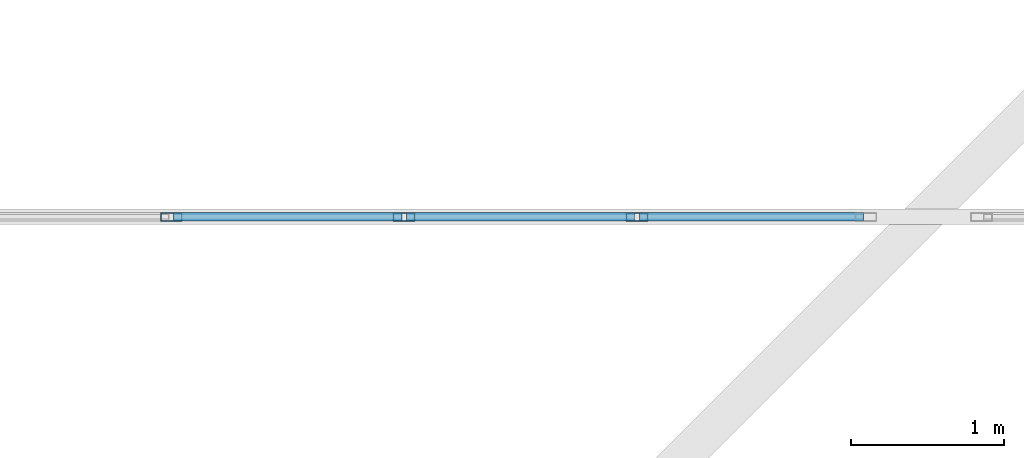
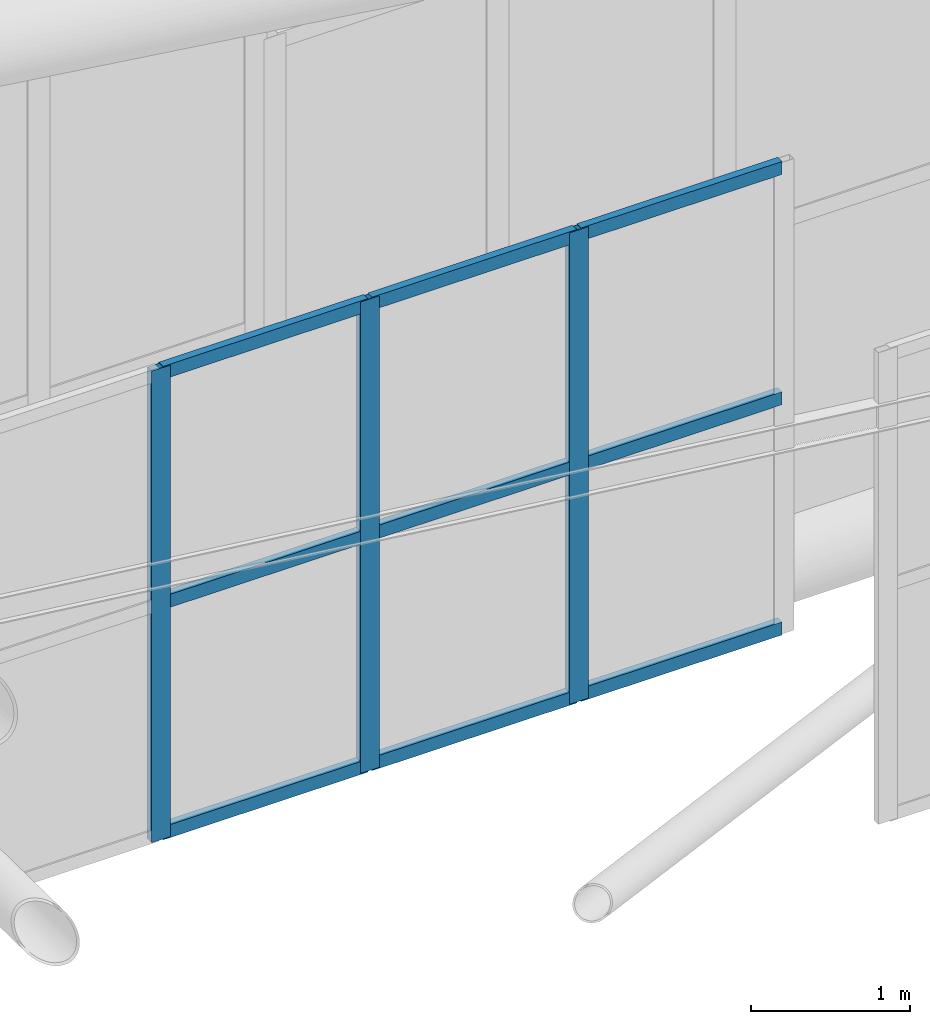
# One storey, part 319 of 397: 12 members, 1 element without a shape of its own.
"""IFC4 building model written with IfcOpenShell, lengths in metres."""

from ifc_helpers import new_model, si_unit, direction, frame, origin, origin_2d, place, context, subcontext, project, spatial, hollow_rectangle, extrude, material, material_profile, profile_set, type_object, element, aggregate, save


model = new_model("IFC4")

# Units and contexts
model_context = context("Model", 3, precision=1e-05, world=origin(), true_north=direction((0.0, 1.0)))
body_context = subcontext(model_context, "Body", "Model", "MODEL_VIEW")
ifc_project = project(units=[si_unit("LENGTHUNIT", "METRE"), si_unit("AREAUNIT", "SQUARE_METRE"), si_unit("VOLUMEUNIT", "CUBIC_METRE"), si_unit("PLANEANGLEUNIT", "RADIAN"), si_unit("MASSUNIT", "GRAM", prefix="KILO")], contexts=[model_context])

# Site, building, storey
site_placement = place(None, origin())
site = spatial("IfcSite", under=ifc_project, at=site_placement, CompositionType="ELEMENT")
building_placement = place(site_placement, origin())
building = spatial("IfcBuilding", under=site, at=building_placement, Name="Qandorah Velis Arena", CompositionType="ELEMENT")
storey_placement = place(building_placement, frame((0.0, 0.0, 27.5)))
storey = spatial("IfcBuildingStorey", under=building, at=storey_placement, Name="RF", CompositionType="ELEMENT", Elevation=27.5)

# Curtain wall, members
ifc_material_1 = material(Name="Solar-control low-E double glazing", Category="glass")
curtain_wall_type = type_object("IfcCurtainWallType", Name="ARC-CW-SYS05", PredefinedType="USERDEFINED", material=ifc_material_1)
curtain_wall_placement = place(storey_placement, origin())
curtain_wall = element("IfcCurtainWall", 1, at=curtain_wall_placement, inside=storey, type_object=curtain_wall_type, Name="Unitised curtain wall MON-4-5", ObjectType="UNITISED CURTAIN WALL", PredefinedType="USERDEFINED")
ifc_material_2 = material(Name="Champagne-bronze anodized aluminium 6063-T6", Category="aluminium")
ifc_material_profile_1 = material_profile(ifc_material_2, hollow_rectangle(XDim=0.054931640625, YDim=0.139892578125, WallThickness=0.0029296875, at=origin_2d()), Name="ALU MULLION 55x140")
ifc_profile_set_1 = profile_set([ifc_material_profile_1], Name="Champagne-bronze anodized aluminium 6063-T6")
member_type_1 = type_object("IfcMemberType", Name="ARC-CWM-140", PredefinedType="MULLION", material=ifc_profile_set_1)
member_1_placement = place(storey_placement, frame((88.683349609375, 108.0, 5.337646484375), z_axis=(0.0, 0.0, 1.0), x_axis=(0.0, 1.0, 0.0)))
member_1 = element("IfcMember", 2, at=member_1_placement, type_object=member_type_1, Name="CW05 mullion 7", PredefinedType="MULLION", context=body_context, shape_type="SweptSolid", body=[
    extrude(hollow_rectangle(XDim=0.054931640625, YDim=0.139892578125, WallThickness=0.0029296875, at=origin_2d()), origin(), (0.0, 0.0, 1.0), 3.630126953125),
])
member_2_placement = place(storey_placement, frame((90.20556640625, 108.0, 5.337646484375), z_axis=(0.0, 0.0, 1.0), x_axis=(0.0, 1.0, 0.0)))
member_2 = element("IfcMember", 3, at=member_2_placement, type_object=member_type_1, Name="CW05 mullion 8", PredefinedType="MULLION", context=body_context, shape_type="SweptSolid", body=[
    extrude(hollow_rectangle(XDim=0.054931640625, YDim=0.139892578125, WallThickness=0.0029296875, at=origin_2d()), origin(), (0.0, 0.0, 1.0), 3.630126953125),
])
member_3_placement = place(storey_placement, frame((91.727783203125, 108.0, 5.337646484375), z_axis=(0.0, 0.0, 1.0), x_axis=(0.0, 1.0, 0.0)))
member_3 = element("IfcMember", 4, at=member_3_placement, type_object=member_type_1, Name="CW05 mullion 9", PredefinedType="MULLION", context=body_context, shape_type="SweptSolid", body=[
    extrude(hollow_rectangle(XDim=0.054931640625, YDim=0.139892578125, WallThickness=0.0029296875, at=origin_2d()), origin(), (0.0, 0.0, 1.0), 3.630126953125),
])
ifc_material_profile_2 = material_profile(ifc_material_2, hollow_rectangle(XDim=0.054931640625, YDim=0.10009765625, WallThickness=0.0029296875, at=origin_2d()), Name="ALU TRANSOM 55x100")
ifc_profile_set_2 = profile_set([ifc_material_profile_2], Name="Champagne-bronze anodized aluminium 6063-T6")
member_type_2 = type_object("IfcMemberType", Name="ARC-CWT-100", PredefinedType="USERDEFINED", material=ifc_profile_set_2)
member_4_placement = place(storey_placement, frame((88.69873046875, 108.0, 5.380126953125), z_axis=(1.0, 0.0, 0.0), x_axis=(0.0, 1.0, 0.0)))
member_4 = element("IfcMember", 5, at=member_4_placement, type_object=member_type_2, Name="CW05 transom 7.1", ObjectType="TRANSOM", PredefinedType="USERDEFINED", context=body_context, shape_type="SweptSolid", body=[
    extrude(hollow_rectangle(XDim=0.054931640625, YDim=0.10009765625, WallThickness=0.0029296875, at=origin_2d()), origin(), (0.0, 0.0, 1.0), 1.491455078125),
])
member_5_placement = place(storey_placement, frame((88.69873046875, 108.0, 7.152587890625), z_axis=(1.0, 0.0, 0.0), x_axis=(0.0, 1.0, 0.0)))
member_5 = element("IfcMember", 6, at=member_5_placement, type_object=member_type_2, Name="CW05 transom 7.2", ObjectType="TRANSOM", PredefinedType="USERDEFINED", context=body_context, shape_type="SweptSolid", body=[
    extrude(hollow_rectangle(XDim=0.054931640625, YDim=0.10009765625, WallThickness=0.0029296875, at=origin_2d()), origin(), (0.0, 0.0, 1.0), 1.491455078125),
])
member_6_placement = place(storey_placement, frame((88.69873046875, 108.0, 8.92529296875), z_axis=(1.0, 0.0, 0.0), x_axis=(0.0, 1.0, 0.0)))
member_6 = element("IfcMember", 7, at=member_6_placement, type_object=member_type_2, Name="CW05 transom 7.3", ObjectType="TRANSOM", PredefinedType="USERDEFINED", context=body_context, shape_type="SweptSolid", body=[
    extrude(hollow_rectangle(XDim=0.054931640625, YDim=0.10009765625, WallThickness=0.0029296875, at=origin_2d()), origin(), (0.0, 0.0, 1.0), 1.491455078125),
])
member_7_placement = place(storey_placement, frame((90.22119140625, 108.0, 5.380126953125), z_axis=(1.0, 0.0, 0.0), x_axis=(0.0, 1.0, 0.0)))
member_7 = element("IfcMember", 8, at=member_7_placement, type_object=member_type_2, Name="CW05 transom 8.1", ObjectType="TRANSOM", PredefinedType="USERDEFINED", context=body_context, shape_type="SweptSolid", body=[
    extrude(hollow_rectangle(XDim=0.054931640625, YDim=0.10009765625, WallThickness=0.0029296875, at=origin_2d()), origin(), (0.0, 0.0, 1.0), 1.4912109375),
])
member_8_placement = place(storey_placement, frame((90.22119140625, 108.0, 7.152587890625), z_axis=(1.0, 0.0, 0.0), x_axis=(0.0, 1.0, 0.0)))
member_8 = element("IfcMember", 9, at=member_8_placement, type_object=member_type_2, Name="CW05 transom 8.2", ObjectType="TRANSOM", PredefinedType="USERDEFINED", context=body_context, shape_type="SweptSolid", body=[
    extrude(hollow_rectangle(XDim=0.054931640625, YDim=0.10009765625, WallThickness=0.0029296875, at=origin_2d()), origin(), (0.0, 0.0, 1.0), 1.4912109375),
])
member_9_placement = place(storey_placement, frame((90.22119140625, 108.0, 8.92529296875), z_axis=(1.0, 0.0, 0.0), x_axis=(0.0, 1.0, 0.0)))
member_9 = element("IfcMember", 10, at=member_9_placement, type_object=member_type_2, Name="CW05 transom 8.3", ObjectType="TRANSOM", PredefinedType="USERDEFINED", context=body_context, shape_type="SweptSolid", body=[
    extrude(hollow_rectangle(XDim=0.054931640625, YDim=0.10009765625, WallThickness=0.0029296875, at=origin_2d()), origin(), (0.0, 0.0, 1.0), 1.4912109375),
])
member_10_placement = place(storey_placement, frame((91.743408203125, 108.0, 5.380126953125), z_axis=(1.0, 0.0, 0.0), x_axis=(0.0, 1.0, 0.0)))
member_10 = element("IfcMember", 11, at=member_10_placement, type_object=member_type_2, Name="CW05 transom 9.1", ObjectType="TRANSOM", PredefinedType="USERDEFINED", context=body_context, shape_type="SweptSolid", body=[
    extrude(hollow_rectangle(XDim=0.054931640625, YDim=0.10009765625, WallThickness=0.0029296875, at=origin_2d()), origin(), (0.0, 0.0, 1.0), 1.463623046875),
])
member_11_placement = place(storey_placement, frame((91.743408203125, 108.0, 7.152587890625), z_axis=(1.0, 0.0, 0.0), x_axis=(0.0, 1.0, 0.0)))
member_11 = element("IfcMember", 12, at=member_11_placement, type_object=member_type_2, Name="CW05 transom 9.2", ObjectType="TRANSOM", PredefinedType="USERDEFINED", context=body_context, shape_type="SweptSolid", body=[
    extrude(hollow_rectangle(XDim=0.054931640625, YDim=0.10009765625, WallThickness=0.0029296875, at=origin_2d()), origin(), (0.0, 0.0, 1.0), 1.463623046875),
])
member_12_placement = place(storey_placement, frame((91.743408203125, 108.0, 8.92529296875), z_axis=(1.0, 0.0, 0.0), x_axis=(0.0, 1.0, 0.0)))
member_12 = element("IfcMember", 13, at=member_12_placement, type_object=member_type_2, Name="CW05 transom 9.3", ObjectType="TRANSOM", PredefinedType="USERDEFINED", context=body_context, shape_type="SweptSolid", body=[
    extrude(hollow_rectangle(XDim=0.054931640625, YDim=0.10009765625, WallThickness=0.0029296875, at=origin_2d()), origin(), (0.0, 0.0, 1.0), 1.463623046875),
])
aggregate(curtain_wall, [member_1, member_2, member_3, member_4, member_5, member_6, member_7, member_8, member_9, member_10, member_11, member_12])

save(model, "model.ifc")
